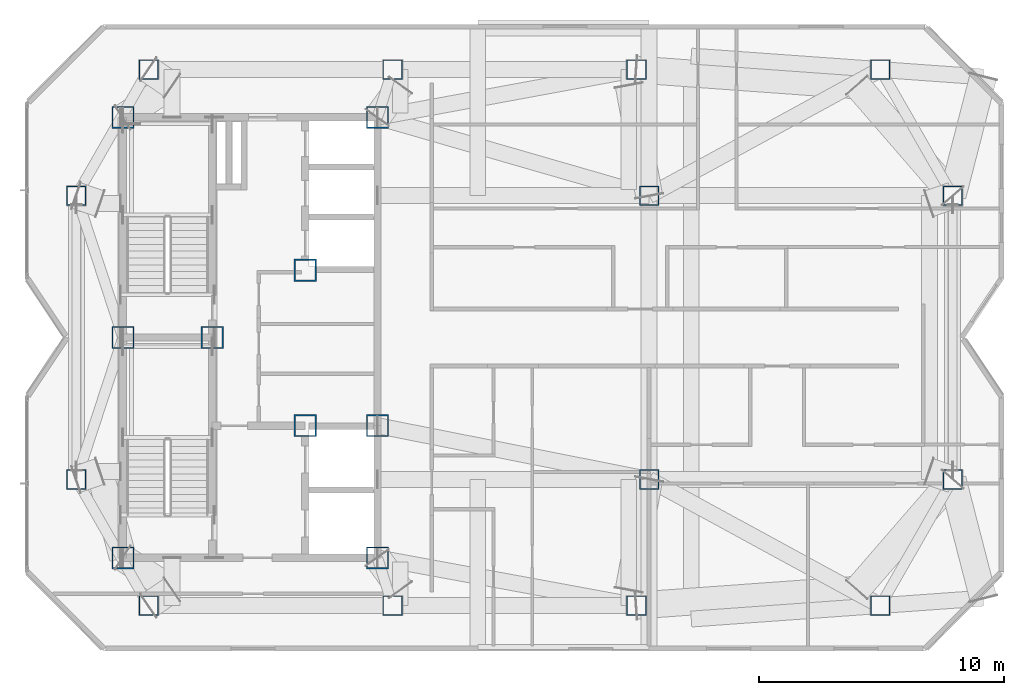
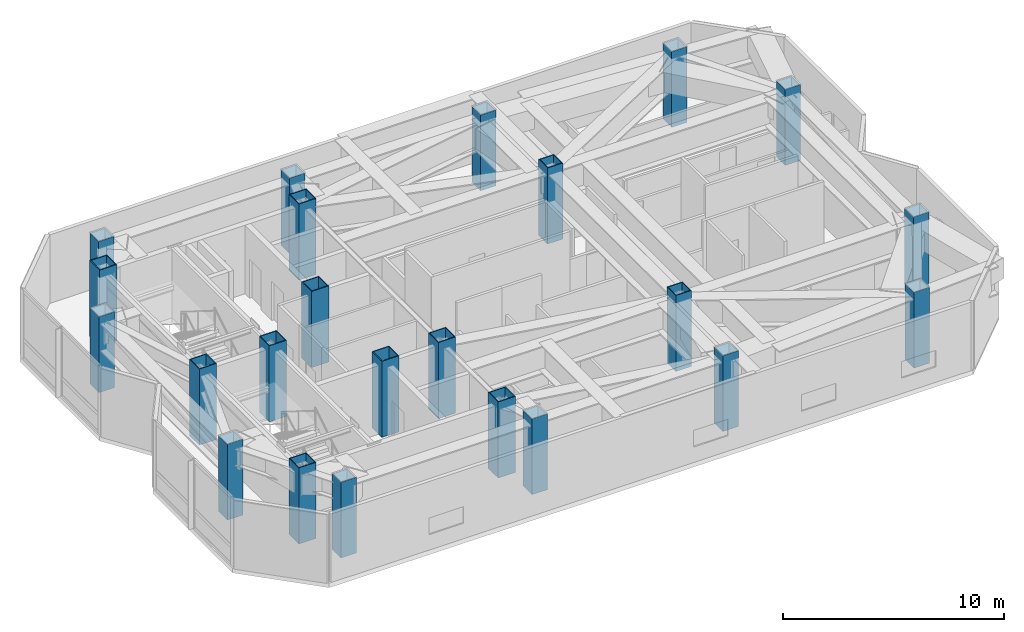
# One storey, part 1 of 15: 23 columns.
"""IFC4 building model written with IfcOpenShell, lengths in metres."""

from ifc_helpers import new_model, si_unit, direction, frame, origin, origin_2d, place, context, subcontext, project, spatial, hollow_rectangle, extrude, material, material_profile, profile_set, type_object, element, save


model = new_model("IFC4")

# Units and contexts
model_context = context("Model", 3, precision=1e-05, world=origin(), true_north=direction((0.0, 1.0)))
body_context = subcontext(model_context, "Body", "Model", "MODEL_VIEW")
ifc_project = project(units=[si_unit("LENGTHUNIT", "METRE"), si_unit("AREAUNIT", "SQUARE_METRE"), si_unit("VOLUMEUNIT", "CUBIC_METRE"), si_unit("PLANEANGLEUNIT", "RADIAN"), si_unit("MASSUNIT", "GRAM", prefix="KILO")], contexts=[model_context])

# Site, building, storey
site_placement = place(None, origin())
site = spatial("IfcSite", under=ifc_project, at=site_placement, CompositionType="ELEMENT")
building_placement = place(site_placement, origin())
building = spatial("IfcBuilding", under=site, at=building_placement, Name="Khamvora Tower", CompositionType="ELEMENT")
storey_placement = place(building_placement, frame((0.0, 0.0, 290.449951171875)))
storey = spatial("IfcBuildingStorey", under=building, at=storey_placement, Name="L74", CompositionType="ELEMENT", Elevation=290.449951171875)

# Columns
ifc_material_1 = material(Name="Steel S355", Category="steel")
ifc_material_profile_1 = material_profile(ifc_material_1, hollow_rectangle(XDim=0.800048828125, YDim=0.800048828125, WallThickness=0.0400390625, at=origin_2d()), Name="BOX800x800x40")
ifc_profile_set_1 = profile_set([ifc_material_profile_1], Name="Steel S355")
column_type_1 = type_object("IfcColumnType", Name="COL-BOX800", PredefinedType="COLUMN", material=ifc_profile_set_1)
for number, where, z_axis, x_axis, name in (
    (1, (30.050048828125, 17.050048828125, 0.0), (0.0, 0.0, 1.0), (1.0, 0.0, 0.0), "L74 structural frame column S1"),
    (2, (40.01708984375, 17.050048828125, 0.0), (0.0, 0.0, 1.0), (1.0, 0.0, 0.0), "L74 structural frame column S2"),
    (3, (49.98291015625, 17.050048828125, 0.0), (0.0, 0.0, 1.0), (1.0, 0.0, 0.0), "L74 structural frame column S3"),
    (4, (59.949951171875, 17.050048828125, 0.0), (0.0, 0.0, 1.0), (1.0, 0.0, 0.0), "L74 structural frame column S4"),
    (5, (30.050048828125, 38.949951171875, 0.0), (0.0, 0.0, 1.0), (1.0, 0.0, 0.0), "L74 structural frame column N1"),
    (6, (40.01708984375, 38.949951171875, 0.0), (0.0, 0.0, 1.0), (1.0, 0.0, 0.0), "L74 structural frame column N2"),
    (7, (49.98291015625, 38.949951171875, 0.0), (0.0, 0.0, 1.0), (1.0, 0.0, 0.0), "L74 structural frame column N3"),
    (8, (59.949951171875, 38.949951171875, 0.0), (0.0, 0.0, 1.0), (1.0, 0.0, 0.0), "L74 structural frame column N4"),
    (9, (27.10009765625, 22.199951171875, 0.0), (0.0, 0.0, 1.0), (1.0, 0.0, 0.0), "L74 structural frame column W1"),
    (10, (27.10009765625, 33.800048828125, 0.0), (0.0, 0.0, 1.0), (1.0, 0.0, 0.0), "L74 structural frame column W2"),
    (11, (62.89990234375, 22.199951171875, 0.0), (0.0, 0.0, 1.0), (1.0, 0.0, 0.0), "L74 structural frame column E1"),
    (12, (62.89990234375, 33.800048828125, 0.0), (0.0, 0.0, 1.0), (1.0, 0.0, 0.0), "L74 structural frame column E2"),
):
    element("IfcColumn", number, at=place(storey_placement, frame(where, z_axis=z_axis, x_axis=x_axis)), inside=storey, type_object=column_type_1, Name=name, PredefinedType="COLUMN", context=body_context, shape_type="SweptSolid", body=[
        extrude(hollow_rectangle(XDim=0.800048828125, YDim=0.800048828125, WallThickness=0.0400390625, at=origin_2d()), origin(), (0.0, 0.0, 1.0), 4.175048828125),
    ])
for number, where, z_axis, x_axis, name in (
    (13, (50.5, 22.199951171875, 0.0), (0.0, 0.0, 1.0), (1.0, 0.0, 0.0), "L74 structural frame column M1"),
    (14, (50.5, 33.800048828125, 0.0), (0.0, 0.0, 1.0), (1.0, 0.0, 0.0), "L74 structural frame column M2"),
):
    element("IfcColumn", number, at=place(storey_placement, frame(where, z_axis=z_axis, x_axis=x_axis)), inside=storey, type_object=column_type_1, Name=name, PredefinedType="COLUMN", context=body_context, shape_type="SweptSolid", body=[
        extrude(hollow_rectangle(XDim=0.800048828125, YDim=0.800048828125, WallThickness=0.0400390625, at=origin_2d()), origin(), (0.0, 0.0, 1.0), 4.199951171875),
    ])
ifc_material_2 = material(Name="Structural Steel S460ML", Category="steel")
ifc_material_profile_2 = material_profile(ifc_material_2, hollow_rectangle(XDim=0.89990234375, YDim=0.89990234375, WallThickness=0.044921875, at=origin_2d()), Name="BOX900x900x45")
ifc_profile_set_2 = profile_set([ifc_material_profile_2], Name="Structural Steel S460ML")
column_type_2 = type_object("IfcColumnType", Name="COL-SC-BOX900", PredefinedType="COLUMN", material=ifc_profile_set_2)
for number, where, z_axis, x_axis, name in (
    (15, (29.0, 19.0, 0.0), (0.0, 0.0, 1.0), (1.0, 0.0, 0.0), "L74 plumb core spine column SC1"),
    (16, (32.64990234375, 28.0, 0.0), (0.0, 0.0, 1.0), (1.0, 0.0, 0.0), "L74 plumb core spine column SC2"),
    (17, (39.39990234375, 19.0, 0.0), (0.0, 0.0, 1.0), (1.0, 0.0, 0.0), "L74 plumb core spine column SC3"),
    (18, (29.0, 28.0, 0.0), (0.0, 0.0, 1.0), (1.0, 0.0, 0.0), "L74 plumb core spine column SC4"),
    (19, (36.449951171875, 24.39990234375, 0.0), (0.0, 0.0, 1.0), (1.0, 0.0, 0.0), "L74 plumb core spine column SC5"),
    (20, (39.39990234375, 24.39990234375, 0.0), (0.0, 0.0, 1.0), (1.0, 0.0, 0.0), "L74 plumb core spine column SC6"),
    (21, (29.0, 37.0, 0.0), (0.0, 0.0, 1.0), (1.0, 0.0, 0.0), "L74 plumb core spine column SC7"),
    (22, (36.449951171875, 30.75, 0.0), (0.0, 0.0, 1.0), (1.0, 0.0, 0.0), "L74 plumb core spine column SC8"),
    (23, (39.39990234375, 37.0, 0.0), (0.0, 0.0, 1.0), (1.0, 0.0, 0.0), "L74 plumb core spine column SC9"),
):
    element("IfcColumn", number, at=place(storey_placement, frame(where, z_axis=z_axis, x_axis=x_axis)), inside=storey, type_object=column_type_2, Name=name, PredefinedType="COLUMN", context=body_context, shape_type="SweptSolid", body=[
        extrude(hollow_rectangle(XDim=0.89990234375, YDim=0.89990234375, WallThickness=0.044921875, at=origin_2d()), origin(), (0.0, 0.0, 1.0), 4.199951171875),
    ])

save(model, "model.ifc")
